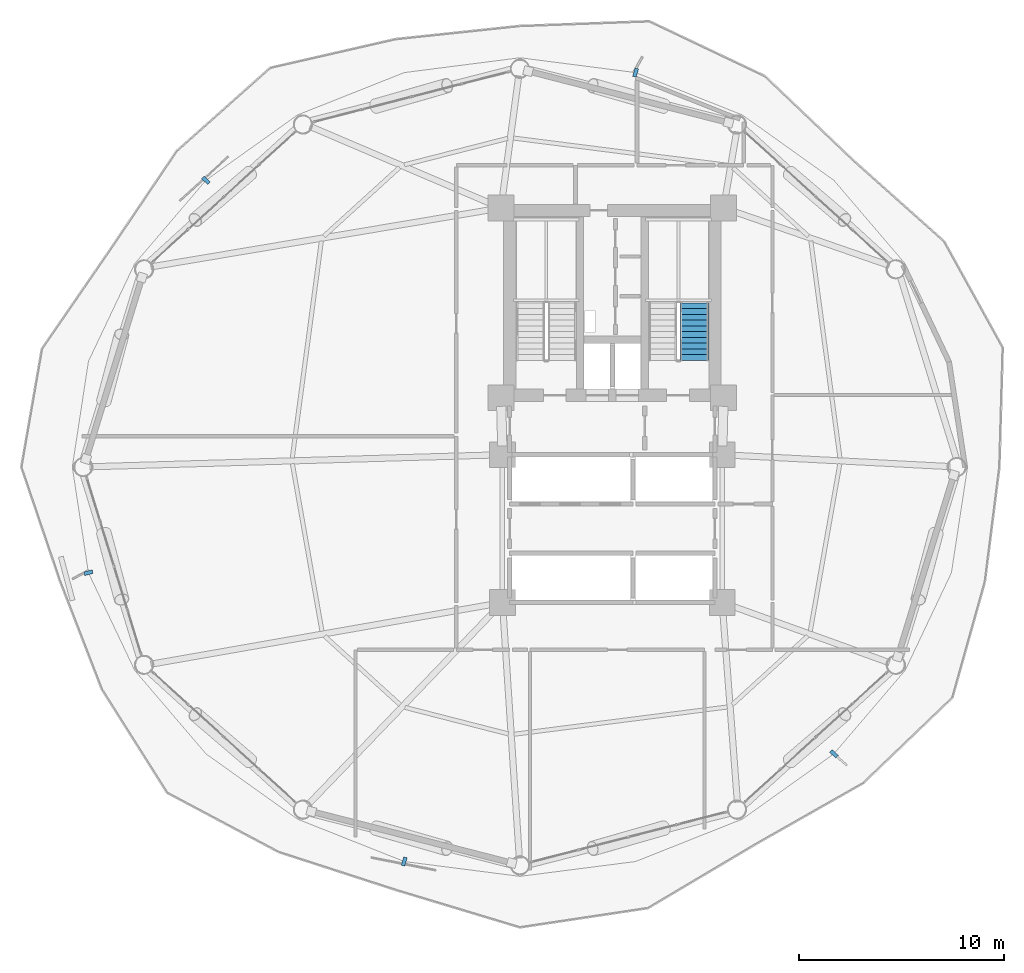
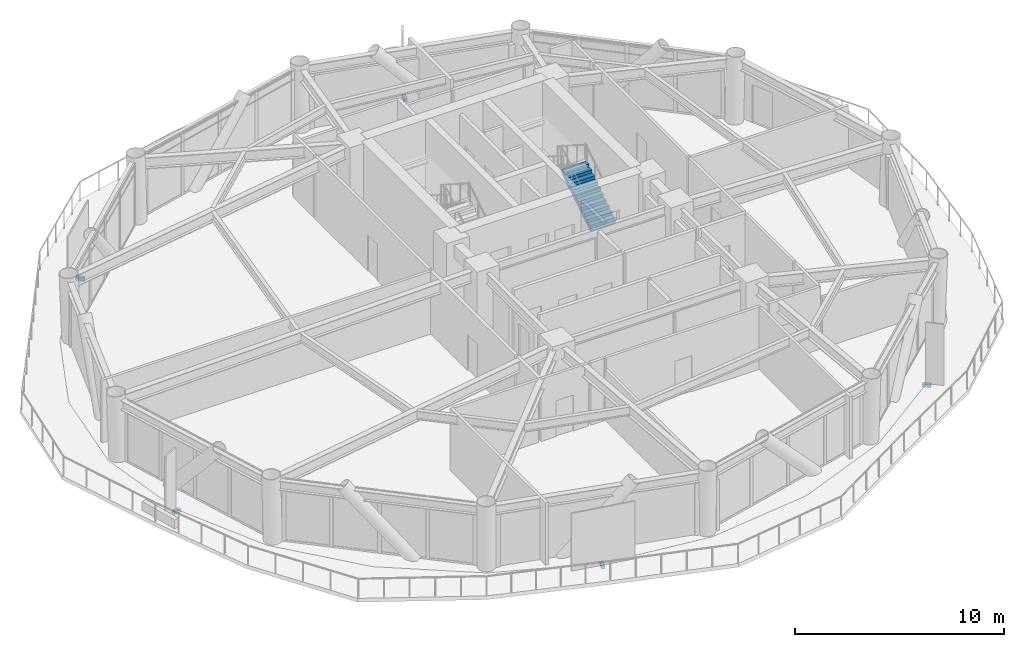
# One storey, part 22 of 25: 5 discrete accessories, 1 stair flight, 1 element without a shape of its own.
"""IFC4 building model written with IfcOpenShell, lengths in metres."""

from ifc_helpers import new_model, si_unit, direction, frame, origin, origin_2d, place, context, subcontext, project, spatial, polyline, rectangle, outline, extrude, source, transform, mapped, material, type_object, type_shapes, element, aggregate, save


model = new_model("IFC4")

# Units and contexts
model_context = context("Model", 3, precision=1e-05, world=origin(), true_north=direction((0.0, 1.0)))
body_context = subcontext(model_context, "Body", "Model", "MODEL_VIEW")
ifc_project = project(units=[si_unit("LENGTHUNIT", "METRE"), si_unit("AREAUNIT", "SQUARE_METRE"), si_unit("VOLUMEUNIT", "CUBIC_METRE"), si_unit("PLANEANGLEUNIT", "RADIAN"), si_unit("MASSUNIT", "GRAM", prefix="KILO")], contexts=[model_context])

# Site, building, storey
site_placement = place(None, origin())
site = spatial("IfcSite", under=ifc_project, at=site_placement, CompositionType="ELEMENT")
building_placement = place(site_placement, origin())
building = spatial("IfcBuilding", under=site, at=building_placement, Name="Varnakorn Sky Granary", CompositionType="ELEMENT")
storey_placement = place(building_placement, frame((0.0, 0.0, 54.89990234375)))
storey = spatial("IfcBuildingStorey", under=building, at=storey_placement, Name="L13", CompositionType="ELEMENT", Elevation=54.89990234375)

# Stair, stair flight
ifc_material_1 = material(Name="Concrete C40/50", Category="concrete")
stair_type = type_object("IfcStairType", Name="ST-MAIN-ASSEMBLY", PredefinedType="HALF_TURN_STAIR", material=ifc_material_1)
stair_placement = place(storey_placement, origin())
stair = element("IfcStair", 1, at=stair_placement, inside=storey, type_object=stair_type, Name="L13 Protected Exit Stair ST-2", PredefinedType="HALF_TURN_STAIR")
stair_flight_type = type_object("IfcStairFlightType", Name="ST-MAIN-FLIGHT", PredefinedType="STRAIGHT", material=ifc_material_1)
stair_flight_placement = place(storey_placement, frame((6.989990234375, 5.199951171875, 0.0), z_axis=(0.0, 0.0, 1.0), x_axis=(0.0, 1.0, 0.0)))
stair_flight = element("IfcStairFlight", 2, at=stair_flight_placement, type_object=stair_flight_type, Name="ST-2 flight 1", NumberOfRisers=11, NumberOfTreads=10, PredefinedType="STRAIGHT", RiserHeight=0.177272727, TreadLength=0.28, context=body_context, shape_type="SweptSolid", body=[
    extrude(outline(polyline([(0.0, -0.14990234375), (0.0, 0.0), (0.0, 0.17724609375), (0.280029296875, 0.17724609375), (0.280029296875, 0.3544921875), (0.56005859375, 0.3544921875), (0.56005859375, 0.53173828125), (0.840087890625, 0.53173828125), (0.840087890625, 0.708984375), (1.1201171875, 0.708984375), (1.1201171875, 0.886474609375), (1.39990234375, 0.886474609375), (1.39990234375, 1.063720703125), (1.679931640625, 1.063720703125), (1.679931640625, 1.240966796875), (1.9599609375, 1.240966796875), (1.9599609375, 1.418212890625), (2.239990234375, 1.418212890625), (2.239990234375, 1.595458984375), (2.52001953125, 1.595458984375), (2.52001953125, 1.772705078125), (2.800048828125, 1.772705078125), (2.800048828125, 1.949951171875), (2.800048828125, 1.59521484375), (0.050048828125, -0.14990234375), (0.0, -0.14990234375)])), frame((0.0, 0.68994140625, 0.0), z_axis=(0.0, -1.0, 0.0), x_axis=(1.0, 0.0, 0.0)), (0.0, 0.0, 1.0), 1.3798828125),
])
aggregate(stair, [stair_flight])

# Discrete accessories
ifc_material_2 = material(Name="Steel S355JR", Category="steel")
discrete_accessory_type = type_object("IfcDiscreteAccessoryType", Name="AC-BRK-01", PredefinedType="BRACKET", material=ifc_material_2)
shared_shape = source(origin(), body_context, "Body", "SweptSolid", [
    extrude(rectangle(XDim=0.179931640625, YDim=0.419921875, at=origin_2d()), origin(), (0.0, 0.0, 1.0), 0.179931640625),
])
type_shapes(discrete_accessory_type, [shared_shape])
for number, where, z_axis, x_axis, name in (
    (3, (4.134521484375, 19.21337890625, -0.19970703125), (0.0, 0.0, 1.0), (-0.959590257899, 0.281401025131, 0.0), "Facade Solar-Screen Outrigger Bracket L13-03"),
    (4, (-16.794189453125, 13.96630859375, -0.19970703125), (0.0, 0.0, 1.0), (-0.67432567045, -0.738434079774, 0.0), "Facade Solar-Screen Outrigger Bracket L13-05"),
    (5, (-22.518310546875, -5.14599609375, -0.19970703125), (0.0, 0.0, 1.0), (0.23780806712, -0.971312165688, 0.0), "Facade Solar-Screen Outrigger Bracket L13-07"),
    (6, (-7.134521484375, -19.21337890625, -0.19970703125), (0.0, 0.0, 1.0), (0.959590257899, -0.281401025131, 0.0), "Facade Solar-Screen Outrigger Bracket L13-09"),
    (7, (13.794189453125, -13.96630859375, -0.19970703125), (0.0, 0.0, 1.0), (0.67432567045, 0.738434079774, 0.0), "Facade Solar-Screen Outrigger Bracket L13-11"),
):
    element("IfcDiscreteAccessory", number, at=place(storey_placement, frame(where, z_axis=z_axis, x_axis=x_axis)), inside=storey, type_object=discrete_accessory_type, Name=name, PredefinedType="BRACKET", context=body_context, shape_type="MappedRepresentation", body=[
        mapped(shared_shape, transform((0.0, 0.0, 0.0), x_axis=(1.0, 0.0, 0.0), y_axis=(0.0, 1.0, 0.0), z_axis=(0.0, 0.0, 1.0), scale=1.0)),
    ])

save(model, "model.ifc")
